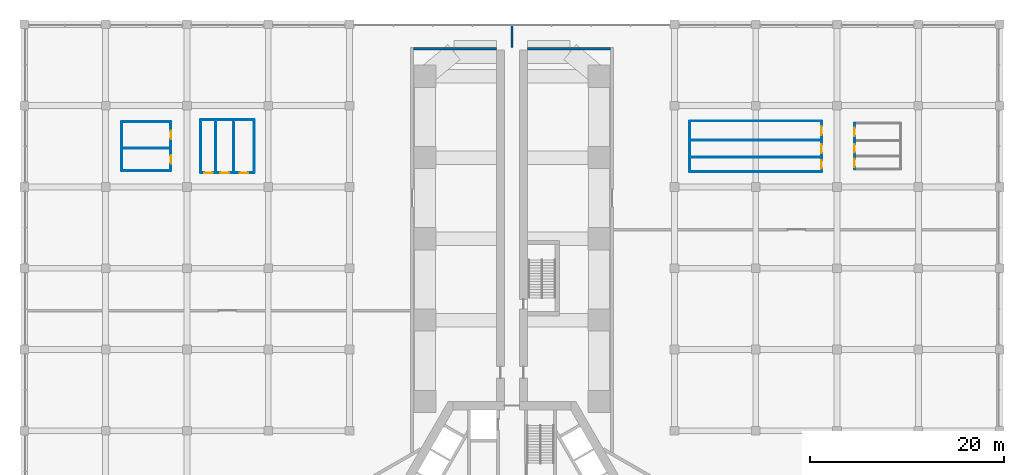
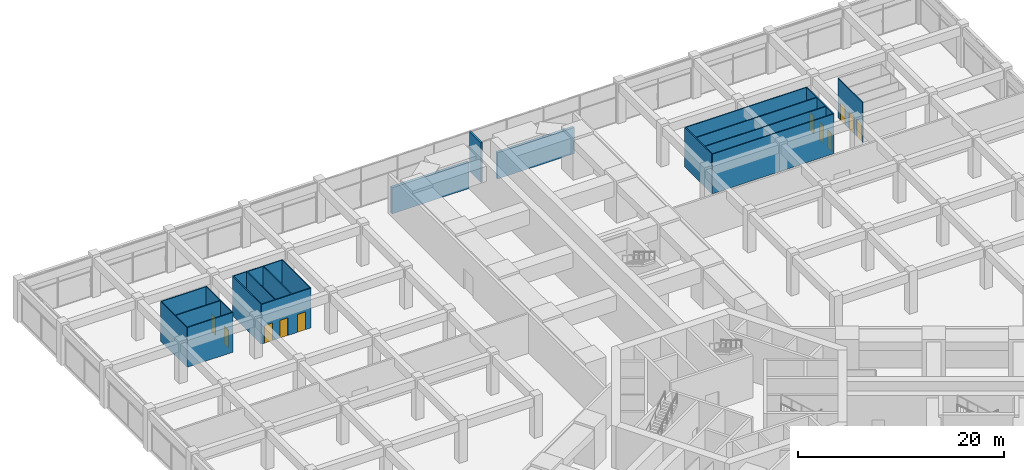
# One storey, part 31 of 34: 21 walls, 11 doors, 11 openings.
"""IFC4 building model written with IfcOpenShell, lengths in metres."""

from ifc_helpers import new_model, si_unit, direction, frame, frame_2d, origin, place, context, subcontext, project, spatial, rectangle, extrude, material, layer, layer_set, type_object, element, fill, save


model = new_model("IFC4")

# Units and contexts
model_context = context("Model", 3, precision=1e-05, world=origin(), true_north=direction((0.0, 1.0)))
body_context = subcontext(model_context, "Body", "Model", "MODEL_VIEW")
ifc_project = project(units=[si_unit("LENGTHUNIT", "METRE"), si_unit("AREAUNIT", "SQUARE_METRE"), si_unit("VOLUMEUNIT", "CUBIC_METRE"), si_unit("PLANEANGLEUNIT", "RADIAN"), si_unit("MASSUNIT", "GRAM", prefix="KILO")], contexts=[model_context])

# Site, building, storey
site_placement = place(None, origin())
site = spatial("IfcSite", under=ifc_project, at=site_placement, CompositionType="ELEMENT")
building_placement = place(site_placement, origin())
building = spatial("IfcBuilding", under=site, at=building_placement, Name="Impinga Residences", CompositionType="ELEMENT")
storey_placement = place(building_placement, frame((0.0, 0.0, 11.0)))
storey = spatial("IfcBuildingStorey", under=building, at=storey_placement, Name="L02", CompositionType="ELEMENT", Elevation=11.0)

# Wall
ifc_material_1 = material(Name="Gypsum board on steel studs", Category="steel")
ifc_layer_1 = layer(ifc_material_1, 0.10009765625)
ifc_layer_set_1 = layer_set([ifc_layer_1], Name="Gypsum board on steel studs")
wall_type_1 = type_object("IfcWallType", Name="IP1 partition 100", PredefinedType="PARTITIONING", material=ifc_layer_set_1)
wall_1_placement = place(storey_placement, frame((18.389892578125, 35.18994140625, 0.0), z_axis=(0.0, 0.0, 1.0), x_axis=(1.0, 0.0, 0.0)))
element("IfcWall", 1, at=wall_1_placement, inside=storey, type_object=wall_type_1, Name="Partition L02:REG:NE:B2:BLKS", PredefinedType="PARTITIONING", context=body_context, shape_type="SweptSolid", body=[
    extrude(rectangle(XDim=13.6201171875, YDim=0.10009765625, at=frame_2d((6.81005859375, 0.0))), origin(), (0.0, 0.0, 1.0), 4.699951171875),
])

# Wall, openings, doors
wall_2_placement = place(storey_placement, frame((32.010009765625, 35.18994140625, 0.0), z_axis=(0.0, 0.0, 1.0), x_axis=(0.0, 1.0, 0.0)))
wall_2 = element("IfcWall", 2, at=wall_2_placement, inside=storey, type_object=wall_type_1, Name="Partition L02:REG:NE:B2:BLKE", PredefinedType="PARTITIONING", context=body_context, shape_type="SweptSolid", body=[
    extrude(rectangle(XDim=5.219970703125, YDim=0.10009765625, at=frame_2d((2.60986328125, 0.0))), origin(), (0.0, 0.0, 1.0), 4.699951171875),
])
opening_1_placement = place(wall_2_placement, frame((0.287353515625, 0.0, 0.0)))
opening_1 = element("IfcOpeningElement", 3, at=opening_1_placement, cuts=wall_2, Name="Opening D2", PredefinedType="OPENING", context=body_context, shape_type="SweptSolid", body=[
    extrude(rectangle(XDim=0.89990234375, YDim=2.10009765625, at=frame_2d((0.449951171875, 1.050048828125))), frame((0.0, 0.06005859375, 0.0), z_axis=(0.0, -1.0, 0.0), x_axis=(1.0, 0.0, 0.0)), (0.0, 0.0, 1.0), 0.1201171875),
])
opening_2_placement = place(wall_2_placement, frame((1.89453125, 0.0, 0.0)))
opening_2 = element("IfcOpeningElement", 4, at=opening_2_placement, cuts=wall_2, Name="Opening D2", PredefinedType="OPENING", context=body_context, shape_type="SweptSolid", body=[
    extrude(rectangle(XDim=0.89990234375, YDim=2.10009765625, at=frame_2d((0.449951171875, 1.050048828125))), frame((0.0, 0.06005859375, 0.0), z_axis=(0.0, -1.0, 0.0), x_axis=(1.0, 0.0, 0.0)), (0.0, 0.0, 1.0), 0.1201171875),
])
opening_3_placement = place(wall_2_placement, frame((3.767333984375, 0.0, 0.0)))
opening_3 = element("IfcOpeningElement", 5, at=opening_3_placement, cuts=wall_2, Name="Opening D2", PredefinedType="OPENING", context=body_context, shape_type="SweptSolid", body=[
    extrude(rectangle(XDim=0.89990234375, YDim=2.10009765625, at=frame_2d((0.449951171875, 1.050048828125))), frame((0.0, 0.06005859375, 0.0), z_axis=(0.0, -1.0, 0.0), x_axis=(1.0, 0.0, 0.0)), (0.0, 0.0, 1.0), 0.1201171875),
])
ifc_material_2 = material(Name="Timber door set", Category="wood")
door_type = type_object("IfcDoorType", Name="D2 internal door 900x2100", OperationType="SINGLE_SWING_LEFT", PredefinedType="DOOR", material=ifc_material_2)
door_1_placement = place(opening_1_placement, origin())
door_1 = element("IfcDoor", 6, at=door_1_placement, inside=storey, type_object=door_type, Name="Changing room door", OperationType="SINGLE_SWING_LEFT", OverallHeight=2.10009765625, OverallWidth=0.89990234375, PredefinedType="DOOR", context=body_context, shape_type="SweptSolid", body=[
    extrude(rectangle(XDim=0.89990234375, YDim=2.10009765625, at=frame_2d((0.449951171875, 1.050048828125))), frame((0.0, 0.02490234375, 0.0), z_axis=(0.0, -1.0, 0.0), x_axis=(1.0, 0.0, 0.0)), (0.0, 0.0, 1.0), 0.050048828125),
])
fill(opening_1, door_1)
door_2_placement = place(opening_2_placement, origin())
door_2 = element("IfcDoor", 7, at=door_2_placement, inside=storey, type_object=door_type, Name="Changing room door", OperationType="SINGLE_SWING_LEFT", OverallHeight=2.10009765625, OverallWidth=0.89990234375, PredefinedType="DOOR", context=body_context, shape_type="SweptSolid", body=[
    extrude(rectangle(XDim=0.89990234375, YDim=2.10009765625, at=frame_2d((0.449951171875, 1.050048828125))), frame((0.0, 0.02490234375, 0.0), z_axis=(0.0, -1.0, 0.0), x_axis=(1.0, 0.0, 0.0)), (0.0, 0.0, 1.0), 0.050048828125),
])
fill(opening_2, door_2)
door_3_placement = place(opening_3_placement, origin())
door_3 = element("IfcDoor", 8, at=door_3_placement, inside=storey, type_object=door_type, Name="Linen store door", OperationType="SINGLE_SWING_RIGHT", OverallHeight=2.10009765625, OverallWidth=0.89990234375, PredefinedType="DOOR", context=body_context, shape_type="SweptSolid", body=[
    extrude(rectangle(XDim=0.89990234375, YDim=2.10009765625, at=frame_2d((0.449951171875, 1.050048828125))), frame((0.0, 0.02490234375, 0.0), z_axis=(0.0, -1.0, 0.0), x_axis=(1.0, 0.0, 0.0)), (0.0, 0.0, 1.0), 0.050048828125),
])
fill(opening_3, door_3)

# Walls
wall_3_placement = place(storey_placement, frame((32.010009765625, 40.409912109375, 0.0), z_axis=(0.0, 0.0, 1.0), x_axis=(-1.0, 0.0, 0.0)))
element("IfcWall", 9, at=wall_3_placement, inside=storey, type_object=wall_type_1, Name="Partition L02:REG:NE:B2:BLKN", PredefinedType="PARTITIONING", context=body_context, shape_type="SweptSolid", body=[
    extrude(rectangle(XDim=13.6201171875, YDim=0.10009765625, at=frame_2d((6.81005859375, 0.0))), origin(), (0.0, 0.0, 1.0), 4.699951171875),
])
wall_4_placement = place(storey_placement, frame((18.389892578125, 40.409912109375, 0.0), z_axis=(0.0, 0.0, 1.0), x_axis=(0.0, -1.0, 0.0)))
element("IfcWall", 10, at=wall_4_placement, inside=storey, type_object=wall_type_1, Name="Partition L02:REG:NE:B2:BLKW", PredefinedType="PARTITIONING", context=body_context, shape_type="SweptSolid", body=[
    extrude(rectangle(XDim=5.219970703125, YDim=0.10009765625, at=frame_2d((2.60986328125, 0.0))), origin(), (0.0, 0.0, 1.0), 4.699951171875),
])
for number, where, z_axis, x_axis, name in (
    (11, (18.389892578125, 36.66455078125, 0.0), (0.0, 0.0, 1.0), (1.0, 0.0, 0.0), "Partition L02:REG:NE:B2:BLKP1"),
    (12, (18.389892578125, 38.404541015625, 0.0), (0.0, 0.0, 1.0), (1.0, 0.0, 0.0), "Partition L02:REG:NE:B2:BLKP2"),
):
    element("IfcWall", number, at=place(storey_placement, frame(where, z_axis=z_axis, x_axis=x_axis)), inside=storey, type_object=wall_type_1, Name=name, PredefinedType="PARTITIONING", context=body_context, shape_type="SweptSolid", body=[
        extrude(rectangle(XDim=13.6201171875, YDim=0.10009765625, at=frame_2d((6.81005859375, 0.0))), origin(), (0.0, 0.0, 1.0), 4.699951171875),
    ])

# Wall, openings, doors
wall_5_placement = place(storey_placement, frame((35.409912109375, 40.18994140625, 0.0), z_axis=(0.0, 0.0, 1.0), x_axis=(0.0, -1.0, 0.0)))
wall_5 = element("IfcWall", 13, at=wall_5_placement, inside=storey, type_object=wall_type_1, Name="Partition L02:REG:NE:B3:BLKW", PredefinedType="PARTITIONING", context=body_context, shape_type="SweptSolid", body=[
    extrude(rectangle(XDim=4.780029296875, YDim=0.10009765625, at=frame_2d((2.39013671875, 0.0))), origin(), (0.0, 0.0, 1.0), 4.699951171875),
])
opening_4_placement = place(wall_5_placement, frame((3.65478515625, 0.0, 0.0)))
opening_4 = element("IfcOpeningElement", 14, at=opening_4_placement, cuts=wall_5, Name="Opening D2", PredefinedType="OPENING", context=body_context, shape_type="SweptSolid", body=[
    extrude(rectangle(XDim=0.89990234375, YDim=2.10009765625, at=frame_2d((0.449951171875, 1.050048828125))), frame((0.0, 0.06005859375, 0.0), z_axis=(0.0, -1.0, 0.0), x_axis=(1.0, 0.0, 0.0)), (0.0, 0.0, 1.0), 0.1201171875),
])
opening_5_placement = place(wall_5_placement, frame((2.18310546875, 0.0, 0.0)))
opening_5 = element("IfcOpeningElement", 15, at=opening_5_placement, cuts=wall_5, Name="Opening D2", PredefinedType="OPENING", context=body_context, shape_type="SweptSolid", body=[
    extrude(rectangle(XDim=0.89990234375, YDim=2.10009765625, at=frame_2d((0.449951171875, 1.050048828125))), frame((0.0, 0.06005859375, 0.0), z_axis=(0.0, -1.0, 0.0), x_axis=(1.0, 0.0, 0.0)), (0.0, 0.0, 1.0), 0.1201171875),
])
opening_6_placement = place(wall_5_placement, frame((0.46826171875, 0.0, 0.0)))
opening_6 = element("IfcOpeningElement", 16, at=opening_6_placement, cuts=wall_5, Name="Opening D2", PredefinedType="OPENING", context=body_context, shape_type="SweptSolid", body=[
    extrude(rectangle(XDim=0.89990234375, YDim=2.10009765625, at=frame_2d((0.449951171875, 1.050048828125))), frame((0.0, 0.06005859375, 0.0), z_axis=(0.0, -1.0, 0.0), x_axis=(1.0, 0.0, 0.0)), (0.0, 0.0, 1.0), 0.1201171875),
])
door_4_placement = place(opening_4_placement, origin())
door_4 = element("IfcDoor", 17, at=door_4_placement, inside=storey, type_object=door_type, Name="Reception office door", OperationType="SINGLE_SWING_RIGHT", OverallHeight=2.10009765625, OverallWidth=0.89990234375, PredefinedType="DOOR", context=body_context, shape_type="SweptSolid", body=[
    extrude(rectangle(XDim=0.89990234375, YDim=2.10009765625, at=frame_2d((0.449951171875, 1.050048828125))), frame((0.0, 0.02490234375, 0.0), z_axis=(0.0, -1.0, 0.0), x_axis=(1.0, 0.0, 0.0)), (0.0, 0.0, 1.0), 0.050048828125),
])
fill(opening_4, door_4)
door_5_placement = place(opening_5_placement, origin())
door_5 = element("IfcDoor", 18, at=door_5_placement, inside=storey, type_object=door_type, Name="Sauna door", OperationType="SINGLE_SWING_RIGHT", OverallHeight=2.10009765625, OverallWidth=0.89990234375, PredefinedType="DOOR", context=body_context, shape_type="SweptSolid", body=[
    extrude(rectangle(XDim=0.89990234375, YDim=2.10009765625, at=frame_2d((0.449951171875, 1.050048828125))), frame((0.0, 0.02490234375, 0.0), z_axis=(0.0, -1.0, 0.0), x_axis=(1.0, 0.0, 0.0)), (0.0, 0.0, 1.0), 0.050048828125),
])
fill(opening_5, door_5)
door_6_placement = place(opening_6_placement, origin())
door_6 = element("IfcDoor", 19, at=door_6_placement, inside=storey, type_object=door_type, Name="Steam room door", OperationType="SINGLE_SWING_LEFT", OverallHeight=2.10009765625, OverallWidth=0.89990234375, PredefinedType="DOOR", context=body_context, shape_type="SweptSolid", body=[
    extrude(rectangle(XDim=0.89990234375, YDim=2.10009765625, at=frame_2d((0.449951171875, 1.050048828125))), frame((0.0, 0.02490234375, 0.0), z_axis=(0.0, -1.0, 0.0), x_axis=(1.0, 0.0, 0.0)), (0.0, 0.0, 1.0), 0.050048828125),
])
fill(opening_6, door_6)

wall_6_placement = place(storey_placement, frame((-32.159912109375, 35.0400390625, 0.0), z_axis=(0.0, 0.0, 1.0), x_axis=(1.0, 0.0, 0.0)))
wall_6 = element("IfcWall", 20, at=wall_6_placement, inside=storey, type_object=wall_type_1, Name="Partition L02:REG:NW:BLKS", PredefinedType="PARTITIONING", context=body_context, shape_type="SweptSolid", body=[
    extrude(rectangle(XDim=5.52001953125, YDim=0.10009765625, at=frame_2d((2.760009765625, 0.0))), origin(), (0.0, 0.0, 1.0), 4.699951171875),
])
opening_7_placement = place(wall_6_placement, frame((0.32958984375, 0.0, 0.0)))
opening_7 = element("IfcOpeningElement", 21, at=opening_7_placement, cuts=wall_6, Name="Opening D2", PredefinedType="OPENING", context=body_context, shape_type="SweptSolid", body=[
    extrude(rectangle(XDim=0.89990234375, YDim=2.10009765625, at=frame_2d((0.449951171875, 1.050048828125))), frame((0.0, 0.06005859375, 0.0), z_axis=(0.0, -1.0, 0.0), x_axis=(1.0, 0.0, 0.0)), (0.0, 0.0, 1.0), 0.1201171875),
])
opening_8_placement = place(wall_6_placement, frame((2.029296875, 0.0, 0.0)))
opening_8 = element("IfcOpeningElement", 22, at=opening_8_placement, cuts=wall_6, Name="Opening D2", PredefinedType="OPENING", context=body_context, shape_type="SweptSolid", body=[
    extrude(rectangle(XDim=0.89990234375, YDim=2.10009765625, at=frame_2d((0.449951171875, 1.050048828125))), frame((0.0, 0.06005859375, 0.0), z_axis=(0.0, -1.0, 0.0), x_axis=(1.0, 0.0, 0.0)), (0.0, 0.0, 1.0), 0.1201171875),
])
opening_9_placement = place(wall_6_placement, frame((4.009765625, 0.0, 0.0)))
opening_9 = element("IfcOpeningElement", 23, at=opening_9_placement, cuts=wall_6, Name="Opening D2", PredefinedType="OPENING", context=body_context, shape_type="SweptSolid", body=[
    extrude(rectangle(XDim=0.89990234375, YDim=2.10009765625, at=frame_2d((0.449951171875, 1.050048828125))), frame((0.0, 0.06005859375, 0.0), z_axis=(0.0, -1.0, 0.0), x_axis=(1.0, 0.0, 0.0)), (0.0, 0.0, 1.0), 0.1201171875),
])
door_7_placement = place(opening_7_placement, origin())
door_7 = element("IfcDoor", 24, at=door_7_placement, inside=storey, type_object=door_type, Name="Filtration plant room door", OperationType="SINGLE_SWING_LEFT", OverallHeight=2.10009765625, OverallWidth=0.89990234375, PredefinedType="DOOR", context=body_context, shape_type="SweptSolid", body=[
    extrude(rectangle(XDim=0.89990234375, YDim=2.10009765625, at=frame_2d((0.449951171875, 1.050048828125))), frame((0.0, 0.02490234375, 0.0), z_axis=(0.0, -1.0, 0.0), x_axis=(1.0, 0.0, 0.0)), (0.0, 0.0, 1.0), 0.050048828125),
])
fill(opening_7, door_7)
door_8_placement = place(opening_8_placement, origin())
door_8 = element("IfcDoor", 25, at=door_8_placement, inside=storey, type_object=door_type, Name="First aid room door", OperationType="SINGLE_SWING_LEFT", OverallHeight=2.10009765625, OverallWidth=0.89990234375, PredefinedType="DOOR", context=body_context, shape_type="SweptSolid", body=[
    extrude(rectangle(XDim=0.89990234375, YDim=2.10009765625, at=frame_2d((0.449951171875, 1.050048828125))), frame((0.0, 0.02490234375, 0.0), z_axis=(0.0, -1.0, 0.0), x_axis=(1.0, 0.0, 0.0)), (0.0, 0.0, 1.0), 0.050048828125),
])
fill(opening_8, door_8)
door_9_placement = place(opening_9_placement, origin())
door_9 = element("IfcDoor", 26, at=door_9_placement, inside=storey, type_object=door_type, Name="Lifeguard office door", OperationType="SINGLE_SWING_RIGHT", OverallHeight=2.10009765625, OverallWidth=0.89990234375, PredefinedType="DOOR", context=body_context, shape_type="SweptSolid", body=[
    extrude(rectangle(XDim=0.89990234375, YDim=2.10009765625, at=frame_2d((0.449951171875, 1.050048828125))), frame((0.0, 0.02490234375, 0.0), z_axis=(0.0, -1.0, 0.0), x_axis=(1.0, 0.0, 0.0)), (0.0, 0.0, 1.0), 0.050048828125),
])
fill(opening_9, door_9)

# Walls
for number, where, z_axis, x_axis, name in (
    (27, (-26.639892578125, 35.0400390625, 0.0), (0.0, 0.0, 1.0), (0.0, 1.0, 0.0), "Partition L02:REG:NW:BLKE"),
    (28, (-26.639892578125, 40.56005859375, 0.0), (0.0, 0.0, 1.0), (-1.0, 0.0, 0.0), "Partition L02:REG:NW:BLKN"),
    (29, (-32.159912109375, 40.56005859375, 0.0), (0.0, 0.0, 1.0), (0.0, -1.0, 0.0), "Partition L02:REG:NW:BLKW"),
    (30, (-30.6005859375, 35.0400390625, 0.0), (0.0, 0.0, 1.0), (0.0, 1.0, 0.0), "Partition L02:REG:NW:BLKP1"),
    (31, (-28.7607421875, 35.0400390625, 0.0), (0.0, 0.0, 1.0), (0.0, 1.0, 0.0), "Partition L02:REG:NW:BLKP2"),
):
    element("IfcWall", number, at=place(storey_placement, frame(where, z_axis=z_axis, x_axis=x_axis)), inside=storey, type_object=wall_type_1, Name=name, PredefinedType="PARTITIONING", context=body_context, shape_type="SweptSolid", body=[
        extrude(rectangle(XDim=5.52001953125, YDim=0.10009765625, at=frame_2d((2.760009765625, 0.0))), origin(), (0.0, 0.0, 1.0), 4.699951171875),
    ])
wall_7_placement = place(storey_placement, frame((-40.340087890625, 35.260009765625, 0.0), z_axis=(0.0, 0.0, 1.0), x_axis=(1.0, 0.0, 0.0)))
element("IfcWall", 32, at=wall_7_placement, inside=storey, type_object=wall_type_1, Name="Partition L02:REG:NW:B2:BLKS", PredefinedType="PARTITIONING", context=body_context, shape_type="SweptSolid", body=[
    extrude(rectangle(XDim=5.080078125, YDim=0.10009765625, at=frame_2d((2.5400390625, 0.0))), origin(), (0.0, 0.0, 1.0), 4.699951171875),
])

# Wall, openings, doors
wall_8_placement = place(storey_placement, frame((-35.260009765625, 35.260009765625, 0.0), z_axis=(0.0, 0.0, 1.0), x_axis=(0.0, 1.0, 0.0)))
wall_8 = element("IfcWall", 33, at=wall_8_placement, inside=storey, type_object=wall_type_1, Name="Partition L02:REG:NW:B2:BLKE", PredefinedType="PARTITIONING", context=body_context, shape_type="SweptSolid", body=[
    extrude(rectangle(XDim=5.080078125, YDim=0.10009765625, at=frame_2d((2.5400390625, 0.0))), origin(), (0.0, 0.0, 1.0), 4.699951171875),
])
opening_10_placement = place(wall_8_placement, frame((0.715087890625, 0.0, 0.0)))
opening_10 = element("IfcOpeningElement", 34, at=opening_10_placement, cuts=wall_8, Name="Opening D2", PredefinedType="OPENING", context=body_context, shape_type="SweptSolid", body=[
    extrude(rectangle(XDim=0.89990234375, YDim=2.10009765625, at=frame_2d((0.449951171875, 1.050048828125))), frame((0.0, 0.06005859375, 0.0), z_axis=(0.0, -1.0, 0.0), x_axis=(1.0, 0.0, 0.0)), (0.0, 0.0, 1.0), 0.1201171875),
])
opening_11_placement = place(wall_8_placement, frame((3.255126953125, 0.0, 0.0)))
opening_11 = element("IfcOpeningElement", 35, at=opening_11_placement, cuts=wall_8, Name="Opening D2", PredefinedType="OPENING", context=body_context, shape_type="SweptSolid", body=[
    extrude(rectangle(XDim=0.89990234375, YDim=2.10009765625, at=frame_2d((0.449951171875, 1.050048828125))), frame((0.0, 0.06005859375, 0.0), z_axis=(0.0, -1.0, 0.0), x_axis=(1.0, 0.0, 0.0)), (0.0, 0.0, 1.0), 0.1201171875),
])
door_10_placement = place(opening_10_placement, origin())
door_10 = element("IfcDoor", 36, at=door_10_placement, inside=storey, type_object=door_type, Name="Changing room door", OperationType="SINGLE_SWING_LEFT", OverallHeight=2.10009765625, OverallWidth=0.89990234375, PredefinedType="DOOR", context=body_context, shape_type="SweptSolid", body=[
    extrude(rectangle(XDim=0.89990234375, YDim=2.10009765625, at=frame_2d((0.449951171875, 1.050048828125))), frame((0.0, 0.02490234375, 0.0), z_axis=(0.0, -1.0, 0.0), x_axis=(1.0, 0.0, 0.0)), (0.0, 0.0, 1.0), 0.050048828125),
])
fill(opening_10, door_10)
door_11_placement = place(opening_11_placement, origin())
door_11 = element("IfcDoor", 37, at=door_11_placement, inside=storey, type_object=door_type, Name="Towel store door", OperationType="SINGLE_SWING_RIGHT", OverallHeight=2.10009765625, OverallWidth=0.89990234375, PredefinedType="DOOR", context=body_context, shape_type="SweptSolid", body=[
    extrude(rectangle(XDim=0.89990234375, YDim=2.10009765625, at=frame_2d((0.449951171875, 1.050048828125))), frame((0.0, 0.02490234375, 0.0), z_axis=(0.0, -1.0, 0.0), x_axis=(1.0, 0.0, 0.0)), (0.0, 0.0, 1.0), 0.050048828125),
])
fill(opening_11, door_11)

# Walls
for number, where, z_axis, x_axis, name in (
    (38, (-35.260009765625, 40.340087890625, 0.0), (0.0, 0.0, 1.0), (-1.0, 0.0, 0.0), "Partition L02:REG:NW:B2:BLKN"),
    (39, (-40.340087890625, 40.340087890625, 0.0), (0.0, 0.0, 1.0), (0.0, -1.0, 0.0), "Partition L02:REG:NW:B2:BLKW"),
    (40, (-40.340087890625, 37.59033203125, 0.0), (0.0, 0.0, 1.0), (1.0, 0.0, 0.0), "Partition L02:REG:NW:B2:BLKP1"),
):
    element("IfcWall", number, at=place(storey_placement, frame(where, z_axis=z_axis, x_axis=x_axis)), inside=storey, type_object=wall_type_1, Name=name, PredefinedType="PARTITIONING", context=body_context, shape_type="SweptSolid", body=[
        extrude(rectangle(XDim=5.080078125, YDim=0.10009765625, at=frame_2d((2.5400390625, 0.0))), origin(), (0.0, 0.0, 1.0), 4.699951171875),
    ])
ifc_material_3 = material(Name="Concrete blockwork", Category="masonry")
ifc_layer_2 = layer(ifc_material_3, 0.199951171875)
ifc_layer_set_2 = layer_set([ifc_layer_2], Name="PW2 podium compartment wall 200")
wall_type_2 = type_object("IfcWallType", Name="PW2 podium compartment wall 200", PredefinedType="SOLIDWALL", material=ifc_layer_set_2)
wall_9_placement = place(storey_placement, frame((0.0, 48.031494140625, 0.0), z_axis=(0.0, 0.0, 1.0), x_axis=(0.0, 1.0, 0.0)))
element("IfcWall", 41, at=wall_9_placement, inside=storey, type_object=wall_type_2, Name="Podium compartment wall L02:REG:N", PredefinedType="SOLIDWALL", context=body_context, shape_type="SweptSolid", body=[
    extrude(rectangle(XDim=2.175537109375, YDim=0.199951171875, at=frame_2d((1.087890625, 0.0))), origin(), (0.0, 0.0, 1.0), 4.699951171875),
])
ifc_layer_3 = layer(ifc_material_3, 0.300048828125)
ifc_layer_set_3 = layer_set([ifc_layer_3], Name="PW3 podium wall on the wing face 300")
wall_type_3 = type_object("IfcWallType", Name="PW3 podium wall on the wing face 300", PredefinedType="SOLIDWALL", material=ifc_layer_set_3)
for number, where, z_axis, x_axis, name in (
    (42, (-1.60009765625, 47.881591796875, 0.0), (0.0, 0.0, 1.0), (-1.0, 0.0, 0.0), "Podium wall on the wing face L02:END:NA"),
    (43, (1.60009765625, 47.881591796875, 0.0), (0.0, 0.0, 1.0), (1.0, 0.0, 0.0), "Podium wall on the wing face L02:END:NF"),
):
    element("IfcWall", number, at=place(storey_placement, frame(where, z_axis=z_axis, x_axis=x_axis)), inside=storey, type_object=wall_type_3, Name=name, PredefinedType="SOLIDWALL", context=body_context, shape_type="SweptSolid", body=[
        extrude(rectangle(XDim=8.599853515625, YDim=0.300048828125, at=frame_2d((4.2998046875, 0.0))), origin(), (0.0, 0.0, 1.0), 3.10009765625),
    ])

save(model, "model.ifc")
